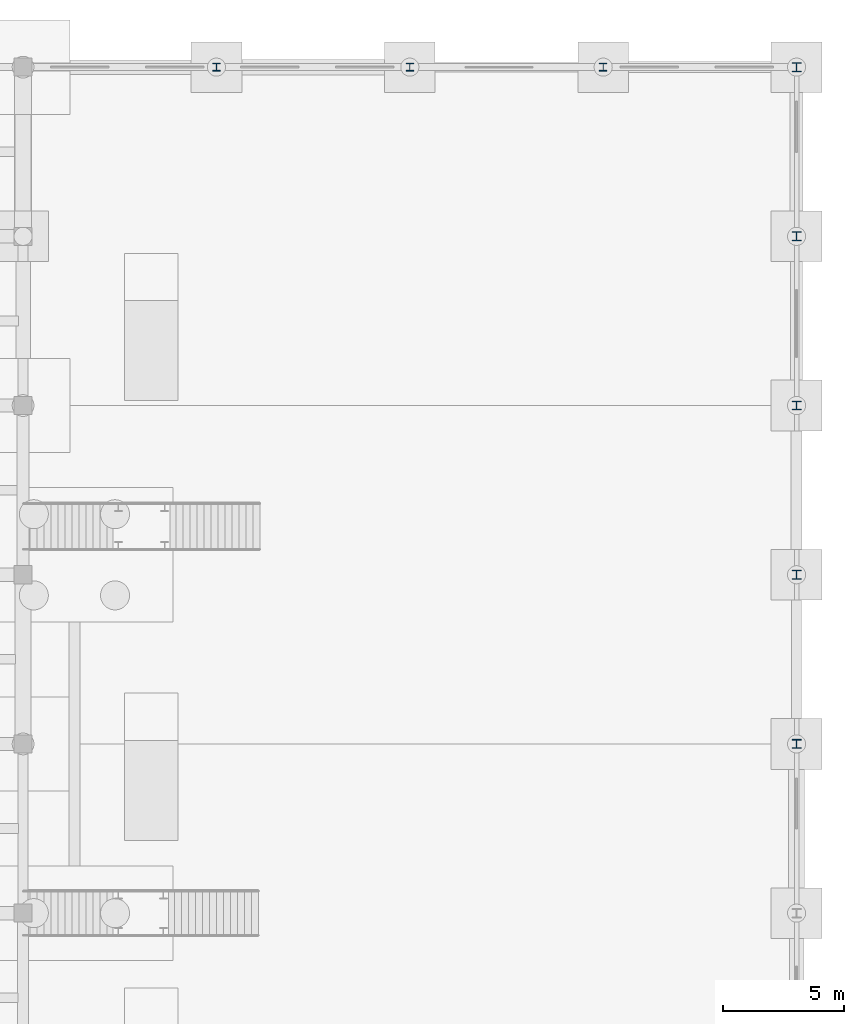
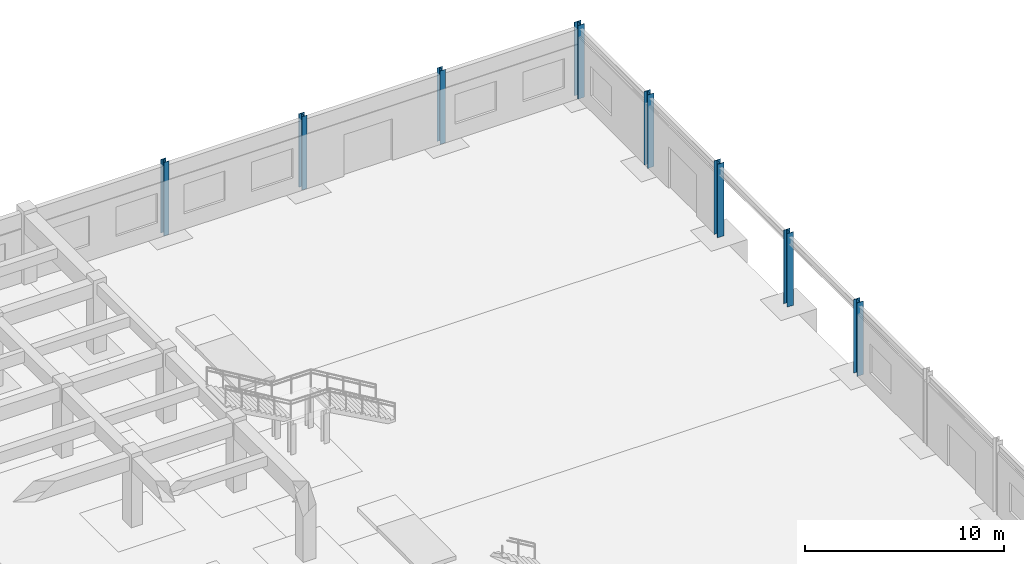
# One storey, part 21 of 84: 8 columns.
"""IFC4 building model written with IfcOpenShell, lengths in metres."""

from ifc_helpers import new_model, si_unit, direction, frame, origin, origin_2d, place, context, subcontext, project, spatial, i_section, extrude, material, material_profile, profile_set, type_object, element, save


model = new_model("IFC4")

# Units and contexts
model_context = context("Model", 3, precision=1e-05, world=origin(), true_north=direction((0.0, 1.0)))
body_context = subcontext(model_context, "Body", "Model", "MODEL_VIEW")
ifc_project = project(units=[si_unit("LENGTHUNIT", "METRE"), si_unit("AREAUNIT", "SQUARE_METRE"), si_unit("VOLUMEUNIT", "CUBIC_METRE"), si_unit("PLANEANGLEUNIT", "RADIAN"), si_unit("MASSUNIT", "GRAM", prefix="KILO")], contexts=[model_context])

# Site, building, storey
site_placement = place(None, origin())
site = spatial("IfcSite", under=ifc_project, at=site_placement, CompositionType="ELEMENT")
building_placement = place(site_placement, origin())
building = spatial("IfcBuilding", under=site, at=building_placement, Name="Larkveld Mobility Hub", CompositionType="ELEMENT")
storey_placement = place(building_placement, origin())
storey = spatial("IfcBuildingStorey", under=building, at=storey_placement, Name="L00", CompositionType="ELEMENT", Elevation=0.0)

# Columns
ifc_material = material(Name="Steel S355JR", Category="steel")
ifc_material_profile_1 = material_profile(ifc_material, i_section(OverallWidth=0.30908203125, OverallDepth=0.320556640625, WebThickness=0.013916015625, FlangeThickness=0.021728515625, FilletRadius=0.01513671875, at=origin_2d()), Name="UC 305x305x137")
ifc_profile_set_1 = profile_set([ifc_material_profile_1], Name="Steel S355JR")
column_type_1 = type_object("IfcColumnType", Name="CL-STUC305", PredefinedType="COLUMN", material=ifc_profile_set_1)
for number, where, z_axis, x_axis, name in (
    (1, (160.0, 126.0, 0.0), (0.0, 0.0, 1.0), (1.0, 0.0, 0.0), "Column V1-GBL-X160-Y126 (L00)"),
    (2, (168.0, 126.0, 0.0), (0.0, 0.0, 1.0), (1.0, 0.0, 0.0), "Column V1-GBL-X168-Y126 (L00)"),
    (3, (176.0, 126.0, 0.0), (0.0, 0.0, 1.0), (1.0, 0.0, 0.0), "Column V1-GBL-X176-Y126 (L00)"),
):
    element("IfcColumn", number, at=place(storey_placement, frame(where, z_axis=z_axis, x_axis=x_axis)), inside=storey, type_object=column_type_1, Name=name, PredefinedType="COLUMN", context=body_context, shape_type="SweptSolid", body=[
        extrude(i_section(OverallWidth=0.30908203125, OverallDepth=0.320556640625, WebThickness=0.013916015625, FlangeThickness=0.021728515625, FilletRadius=0.01513671875, at=origin_2d()), origin(), (0.0, 0.0, 1.0), 4.5),
    ])
ifc_material_profile_2 = material_profile(ifc_material, i_section(OverallWidth=0.37255859375, OverallDepth=0.3681640625, WebThickness=0.014404296875, FlangeThickness=0.023681640625, FilletRadius=0.01513671875, at=origin_2d()), Name="UC 356x368x177")
ifc_profile_set_2 = profile_set([ifc_material_profile_2], Name="Steel S355JR")
column_type_2 = type_object("IfcColumnType", Name="CL-STUC356", PredefinedType="COLUMN", material=ifc_profile_set_2)
for number, where, z_axis, x_axis, name in (
    (4, (184.0, 98.0, 0.0), (0.0, 0.0, 1.0), (1.0, 0.0, 0.0), "Column V1-X184-Y98 (L00)"),
    (5, (184.0, 105.0, 0.0), (0.0, 0.0, 1.0), (1.0, 0.0, 0.0), "Column V1-X184-Y105 (L00)"),
    (6, (184.0, 112.0, 0.0), (0.0, 0.0, 1.0), (1.0, 0.0, 0.0), "Column V1-X184-Y112 (L00)"),
    (7, (184.0, 119.0, 0.0), (0.0, 0.0, 1.0), (1.0, 0.0, 0.0), "Column V1-X184-Y119 (L00)"),
    (8, (184.0, 126.0, 0.0), (0.0, 0.0, 1.0), (1.0, 0.0, 0.0), "Column V1-X184-Y126 (L00)"),
):
    element("IfcColumn", number, at=place(storey_placement, frame(where, z_axis=z_axis, x_axis=x_axis)), inside=storey, type_object=column_type_2, Name=name, PredefinedType="COLUMN", context=body_context, shape_type="SweptSolid", body=[
        extrude(i_section(OverallWidth=0.37255859375, OverallDepth=0.3681640625, WebThickness=0.014404296875, FlangeThickness=0.023681640625, FilletRadius=0.01513671875, at=origin_2d()), origin(), (0.0, 0.0, 1.0), 4.5),
    ])

save(model, "model.ifc")
